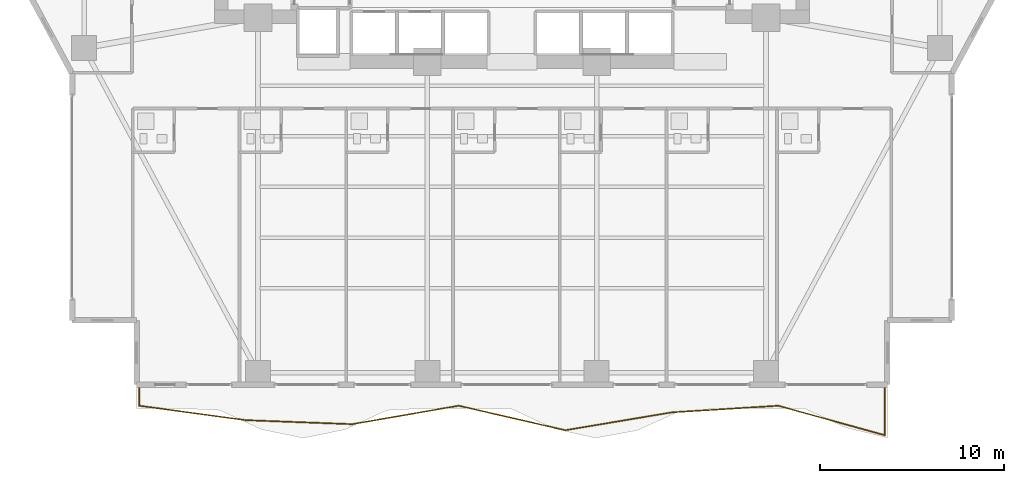
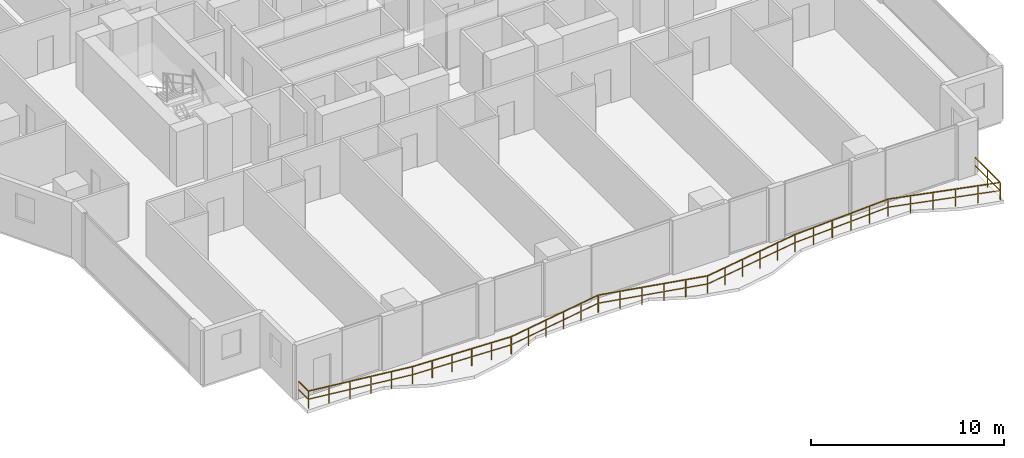
# One storey, part 26 of 29: 1 railing.
"""IFC4 building model written with IfcOpenShell, lengths in metres."""

from ifc_helpers import new_model, si_unit, direction, frame, origin, origin_2d, place, context, subcontext, project, spatial, rectangle, extrude, material, type_object, element, save


model = new_model("IFC4")

# Units and contexts
model_context = context("Model", 3, precision=1e-05, world=origin(), true_north=direction((0.0, 1.0)))
body_context = subcontext(model_context, "Body", "Model", "MODEL_VIEW")
ifc_project = project(units=[si_unit("LENGTHUNIT", "METRE"), si_unit("AREAUNIT", "SQUARE_METRE"), si_unit("VOLUMEUNIT", "CUBIC_METRE"), si_unit("PLANEANGLEUNIT", "RADIAN"), si_unit("MASSUNIT", "GRAM", prefix="KILO")], contexts=[model_context])

# Site, building, storey
site_placement = place(None, origin())
site = spatial("IfcSite", under=ifc_project, at=site_placement, CompositionType="ELEMENT")
building_placement = place(site_placement, origin())
building = spatial("IfcBuilding", under=site, at=building_placement, Name="Zuhayl Quay Hotel", CompositionType="ELEMENT")
storey_placement = place(building_placement, frame((0.0, 0.0, 150.39990234375)))
storey = spatial("IfcBuildingStorey", under=building, at=storey_placement, Name="L38", CompositionType="ELEMENT", Elevation=150.39990234375)

# Railing
ifc_material = material(Name="Anodised Aluminium and Laminated Glass", Category="aluminium")
railing_type = type_object("IfcRailingType", Name="RL_EXT_BAL_1100", PredefinedType="BALUSTRADE", material=ifc_material)
railing_placement = place(storey_placement, frame((-20.260009765625, -15.52001953125, 0.0)))
element("IfcRailing", 1, at=railing_placement, inside=storey, type_object=railing_type, Name="L38 Balcony and Terrace Guard GR_L38_BAL_S", PredefinedType="BALUSTRADE", context=body_context, shape_type="SweptSolid", body=[
    extrude(rectangle(XDim=0.048095703125, YDim=0.048095703125, at=origin_2d()), frame((0.0, 0.0, 1.09619140625), z_axis=(0.0, -1.0, 0.0), x_axis=(1.0, 0.0, 0.0)), (0.0, 0.0, 1.0), 1.02001953125),
    extrude(rectangle(XDim=0.0361328125, YDim=0.0361328125, at=origin_2d()), frame((0.0, 0.0, 0.58251953125), z_axis=(0.0, -1.0, 0.0), x_axis=(1.0, 0.0, 0.0)), (0.0, 0.0, 1.0), 1.02001953125),
    extrude(rectangle(XDim=0.048095703125, YDim=0.048095703125, at=origin_2d()), frame((0.0, -1.02001953125, 1.09619140625), z_axis=(0.990926050983, -0.134408189792, 0.0), x_axis=(0.134408189792, 0.990926050983, 0.0)), (0.0, 0.0, 1.0), 5.841552734375),
    extrude(rectangle(XDim=0.0361328125, YDim=0.0361328125, at=origin_2d()), frame((0.0, -1.02001953125, 0.58251953125), z_axis=(0.990926050983, -0.134408189792, 0.0), x_axis=(0.134408189792, 0.990926050983, 0.0)), (0.0, 0.0, 1.0), 5.841552734375),
    extrude(rectangle(XDim=0.048095703125, YDim=0.048095703125, at=origin_2d()), frame((5.78857421875, -1.80517578125, 1.09619140625), z_axis=(0.999299390156, -0.03742631204, 0.0), x_axis=(0.03742631204, 0.999299390156, 0.0)), (0.0, 0.0, 1.0), 5.792724609375),
    extrude(rectangle(XDim=0.0361328125, YDim=0.0361328125, at=origin_2d()), frame((5.78857421875, -1.80517578125, 0.58251953125), z_axis=(0.999299390156, -0.03742631204, 0.0), x_axis=(0.03742631204, 0.999299390156, 0.0)), (0.0, 0.0, 1.0), 5.792724609375),
    extrude(rectangle(XDim=0.048095703125, YDim=0.048095703125, at=origin_2d()), frame((11.5771484375, -2.02197265625, 1.09619140625), z_axis=(0.98534808836, 0.17055540087, 0.0), x_axis=(-0.17055540087, 0.98534808836, 0.0)), (0.0, 0.0, 1.0), 5.874755859375),
    extrude(rectangle(XDim=0.0361328125, YDim=0.0361328125, at=origin_2d()), frame((11.5771484375, -2.02197265625, 0.58251953125), z_axis=(0.98534808836, 0.17055540087, 0.0), x_axis=(-0.17055540087, 0.98534808836, 0.0)), (0.0, 0.0, 1.0), 5.874755859375),
    extrude(rectangle(XDim=0.048095703125, YDim=0.048095703125, at=origin_2d()), frame((17.36572265625, -1.02001953125, 1.09619140625), z_axis=(0.974629662014, -0.223823640222, 0.0), x_axis=(0.223823640222, 0.974629662014, 0.0)), (0.0, 0.0, 1.0), 5.939208984375),
    extrude(rectangle(XDim=0.0361328125, YDim=0.0361328125, at=origin_2d()), frame((17.36572265625, -1.02001953125, 0.58251953125), z_axis=(0.974629662014, -0.223823640222, 0.0), x_axis=(0.223823640222, 0.974629662014, 0.0)), (0.0, 0.0, 1.0), 5.939208984375),
    extrude(rectangle(XDim=0.048095703125, YDim=0.048095703125, at=origin_2d()), frame((23.154296875, -2.349365234375, 1.09619140625), z_axis=(0.986324127893, 0.164817216141, 0.0), x_axis=(-0.164817216141, 0.986324127893, 0.0)), (0.0, 0.0, 1.0), 5.868896484375),
    extrude(rectangle(XDim=0.0361328125, YDim=0.0361328125, at=origin_2d()), frame((23.154296875, -2.349365234375, 0.58251953125), z_axis=(0.986324127893, 0.164817216141, 0.0), x_axis=(-0.164817216141, 0.986324127893, 0.0)), (0.0, 0.0, 1.0), 5.868896484375),
    extrude(rectangle(XDim=0.048095703125, YDim=0.048095703125, at=origin_2d()), frame((28.94287109375, -1.382080078125, 1.09619140625), z_axis=(0.998049629148, 0.062425457614, 0.0), x_axis=(-0.062425457614, 0.998049629148, 0.0)), (0.0, 0.0, 1.0), 5.7998046875),
    extrude(rectangle(XDim=0.0361328125, YDim=0.0361328125, at=origin_2d()), frame((28.94287109375, -1.382080078125, 0.58251953125), z_axis=(0.998049629148, 0.062425457614, 0.0), x_axis=(-0.062425457614, 0.998049629148, 0.0)), (0.0, 0.0, 1.0), 5.7998046875),
    extrude(rectangle(XDim=0.048095703125, YDim=0.048095703125, at=origin_2d()), frame((34.7314453125, -1.02001953125, 1.09619140625), z_axis=(0.963686585643, -0.267035886448, 0.0), x_axis=(0.267035886448, 0.963686585643, 0.0)), (0.0, 0.0, 1.0), 6.006591796875),
    extrude(rectangle(XDim=0.0361328125, YDim=0.0361328125, at=origin_2d()), frame((34.7314453125, -1.02001953125, 0.58251953125), z_axis=(0.963686585643, -0.267035886448, 0.0), x_axis=(0.267035886448, 0.963686585643, 0.0)), (0.0, 0.0, 1.0), 6.006591796875),
    extrude(rectangle(XDim=0.048095703125, YDim=0.048095703125, at=origin_2d()), frame((40.52001953125, -2.6240234375, 1.09619140625), z_axis=(0.0, 1.0, 0.0), x_axis=(-1.0, 0.0, 0.0)), (0.0, 0.0, 1.0), 2.6240234375),
    extrude(rectangle(XDim=0.0361328125, YDim=0.0361328125, at=origin_2d()), frame((40.52001953125, -2.6240234375, 0.58251953125), z_axis=(0.0, 1.0, 0.0), x_axis=(-1.0, 0.0, 0.0)), (0.0, 0.0, 1.0), 2.6240234375),
    extrude(rectangle(XDim=0.0419921875, YDim=0.0419921875, at=origin_2d()), origin(), (0.0, 0.0, 1.0), 1.072021484375),
    extrude(rectangle(XDim=0.0419921875, YDim=0.0419921875, at=origin_2d()), frame((0.0, -1.02001953125, 0.0)), (0.0, 0.0, 1.0), 1.072021484375),
    extrude(rectangle(XDim=0.0419921875, YDim=0.0419921875, at=origin_2d()), frame((1.15771484375, -1.177001953125, 0.0)), (0.0, 0.0, 1.0), 1.072021484375),
    extrude(rectangle(XDim=0.0419921875, YDim=0.0419921875, at=origin_2d()), frame((2.3154296875, -1.333984375, 0.0)), (0.0, 0.0, 1.0), 1.072021484375),
    extrude(rectangle(XDim=0.0419921875, YDim=0.0419921875, at=origin_2d()), frame((3.47314453125, -1.4912109375, 0.0)), (0.0, 0.0, 1.0), 1.072021484375),
    extrude(rectangle(XDim=0.0419921875, YDim=0.0419921875, at=origin_2d()), frame((4.630859375, -1.648193359375, 0.0)), (0.0, 0.0, 1.0), 1.072021484375),
    extrude(rectangle(XDim=0.0419921875, YDim=0.0419921875, at=origin_2d()), frame((5.78857421875, -1.80517578125, 0.0)), (0.0, 0.0, 1.0), 1.072021484375),
    extrude(rectangle(XDim=0.0419921875, YDim=0.0419921875, at=origin_2d()), frame((6.9462890625, -1.8486328125, 0.0)), (0.0, 0.0, 1.0), 1.072021484375),
    extrude(rectangle(XDim=0.0419921875, YDim=0.0419921875, at=origin_2d()), frame((8.10400390625, -1.891845703125, 0.0)), (0.0, 0.0, 1.0), 1.072021484375),
    extrude(rectangle(XDim=0.0419921875, YDim=0.0419921875, at=origin_2d()), frame((9.26171875, -1.935302734375, 0.0)), (0.0, 0.0, 1.0), 1.072021484375),
    extrude(rectangle(XDim=0.0419921875, YDim=0.0419921875, at=origin_2d()), frame((10.41943359375, -1.978515625, 0.0)), (0.0, 0.0, 1.0), 1.072021484375),
    extrude(rectangle(XDim=0.0419921875, YDim=0.0419921875, at=origin_2d()), frame((11.5771484375, -2.02197265625, 0.0)), (0.0, 0.0, 1.0), 1.072021484375),
    extrude(rectangle(XDim=0.0419921875, YDim=0.0419921875, at=origin_2d()), frame((12.73486328125, -1.821533203125, 0.0)), (0.0, 0.0, 1.0), 1.072021484375),
    extrude(rectangle(XDim=0.0419921875, YDim=0.0419921875, at=origin_2d()), frame((13.892578125, -1.62109375, 0.0)), (0.0, 0.0, 1.0), 1.072021484375),
    extrude(rectangle(XDim=0.0419921875, YDim=0.0419921875, at=origin_2d()), frame((15.05029296875, -1.4208984375, 0.0)), (0.0, 0.0, 1.0), 1.072021484375),
    extrude(rectangle(XDim=0.0419921875, YDim=0.0419921875, at=origin_2d()), frame((16.2080078125, -1.220458984375, 0.0)), (0.0, 0.0, 1.0), 1.072021484375),
    extrude(rectangle(XDim=0.0419921875, YDim=0.0419921875, at=origin_2d()), frame((17.36572265625, -1.02001953125, 0.0)), (0.0, 0.0, 1.0), 1.072021484375),
    extrude(rectangle(XDim=0.0419921875, YDim=0.0419921875, at=origin_2d()), frame((18.5234375, -1.285888671875, 0.0)), (0.0, 0.0, 1.0), 1.072021484375),
    extrude(rectangle(XDim=0.0419921875, YDim=0.0419921875, at=origin_2d()), frame((19.68115234375, -1.5517578125, 0.0)), (0.0, 0.0, 1.0), 1.072021484375),
    extrude(rectangle(XDim=0.0419921875, YDim=0.0419921875, at=origin_2d()), frame((20.8388671875, -1.817626953125, 0.0)), (0.0, 0.0, 1.0), 1.072021484375),
    extrude(rectangle(XDim=0.0419921875, YDim=0.0419921875, at=origin_2d()), frame((21.99658203125, -2.08349609375, 0.0)), (0.0, 0.0, 1.0), 1.072021484375),
    extrude(rectangle(XDim=0.0419921875, YDim=0.0419921875, at=origin_2d()), frame((23.154296875, -2.349365234375, 0.0)), (0.0, 0.0, 1.0), 1.072021484375),
    extrude(rectangle(XDim=0.0419921875, YDim=0.0419921875, at=origin_2d()), frame((24.31201171875, -2.156005859375, 0.0)), (0.0, 0.0, 1.0), 1.072021484375),
    extrude(rectangle(XDim=0.0419921875, YDim=0.0419921875, at=origin_2d()), frame((25.4697265625, -1.96240234375, 0.0)), (0.0, 0.0, 1.0), 1.072021484375),
    extrude(rectangle(XDim=0.0419921875, YDim=0.0419921875, at=origin_2d()), frame((26.62744140625, -1.76904296875, 0.0)), (0.0, 0.0, 1.0), 1.072021484375),
    extrude(rectangle(XDim=0.0419921875, YDim=0.0419921875, at=origin_2d()), frame((27.78515625, -1.575439453125, 0.0)), (0.0, 0.0, 1.0), 1.072021484375),
    extrude(rectangle(XDim=0.0419921875, YDim=0.0419921875, at=origin_2d()), frame((28.94287109375, -1.382080078125, 0.0)), (0.0, 0.0, 1.0), 1.072021484375),
    extrude(rectangle(XDim=0.0419921875, YDim=0.0419921875, at=origin_2d()), frame((30.1005859375, -1.3095703125, 0.0)), (0.0, 0.0, 1.0), 1.072021484375),
    extrude(rectangle(XDim=0.0419921875, YDim=0.0419921875, at=origin_2d()), frame((31.25830078125, -1.2373046875, 0.0)), (0.0, 0.0, 1.0), 1.072021484375),
    extrude(rectangle(XDim=0.0419921875, YDim=0.0419921875, at=origin_2d()), frame((32.416015625, -1.164794921875, 0.0)), (0.0, 0.0, 1.0), 1.072021484375),
    extrude(rectangle(XDim=0.0419921875, YDim=0.0419921875, at=origin_2d()), frame((33.57373046875, -1.092529296875, 0.0)), (0.0, 0.0, 1.0), 1.072021484375),
    extrude(rectangle(XDim=0.0419921875, YDim=0.0419921875, at=origin_2d()), frame((34.7314453125, -1.02001953125, 0.0)), (0.0, 0.0, 1.0), 1.072021484375),
    extrude(rectangle(XDim=0.0419921875, YDim=0.0419921875, at=origin_2d()), frame((35.88916015625, -1.3408203125, 0.0)), (0.0, 0.0, 1.0), 1.072021484375),
    extrude(rectangle(XDim=0.0419921875, YDim=0.0419921875, at=origin_2d()), frame((37.046875, -1.66162109375, 0.0)), (0.0, 0.0, 1.0), 1.072021484375),
    extrude(rectangle(XDim=0.0419921875, YDim=0.0419921875, at=origin_2d()), frame((38.20458984375, -1.982421875, 0.0)), (0.0, 0.0, 1.0), 1.072021484375),
    extrude(rectangle(XDim=0.0419921875, YDim=0.0419921875, at=origin_2d()), frame((39.3623046875, -2.30322265625, 0.0)), (0.0, 0.0, 1.0), 1.072021484375),
    extrude(rectangle(XDim=0.0419921875, YDim=0.0419921875, at=origin_2d()), frame((40.52001953125, -2.6240234375, 0.0)), (0.0, 0.0, 1.0), 1.072021484375),
    extrude(rectangle(XDim=0.0419921875, YDim=0.0419921875, at=origin_2d()), frame((40.52001953125, -1.31201171875, 0.0)), (0.0, 0.0, 1.0), 1.072021484375),
    extrude(rectangle(XDim=0.0419921875, YDim=0.0419921875, at=origin_2d()), frame((40.52001953125, 0.0, 0.0)), (0.0, 0.0, 1.0), 1.072021484375),
])

save(model, "model.ifc")
